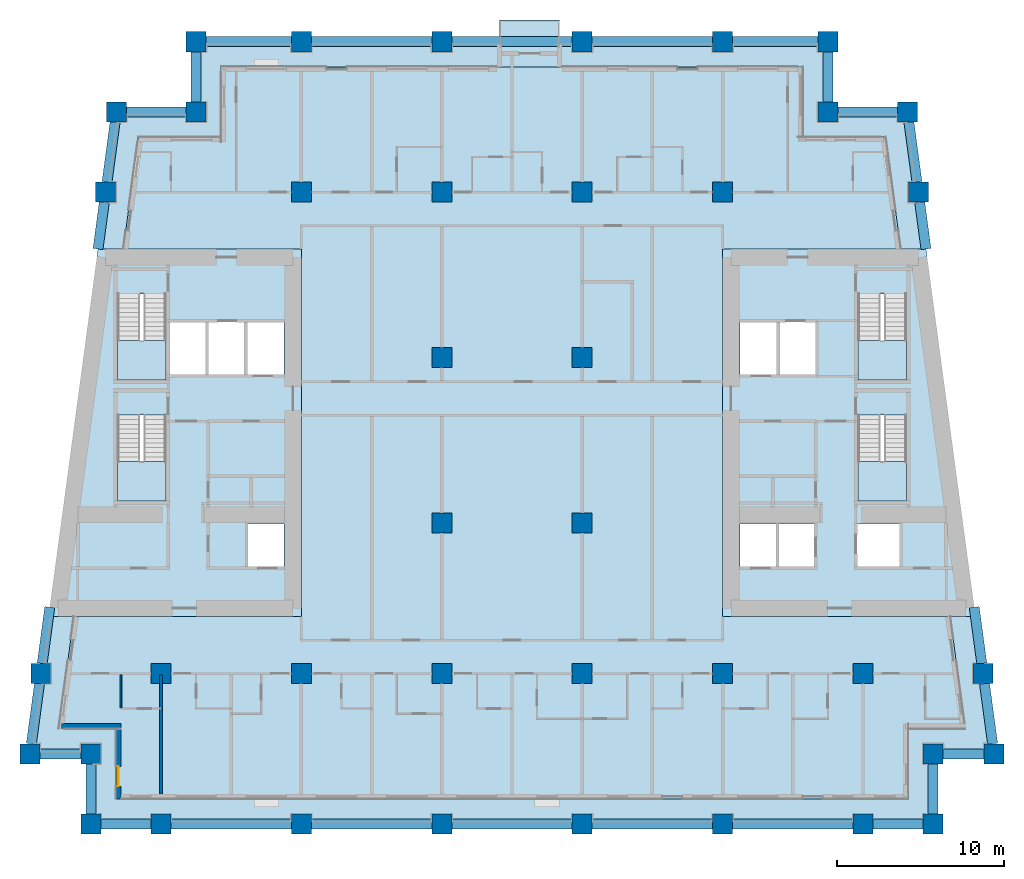
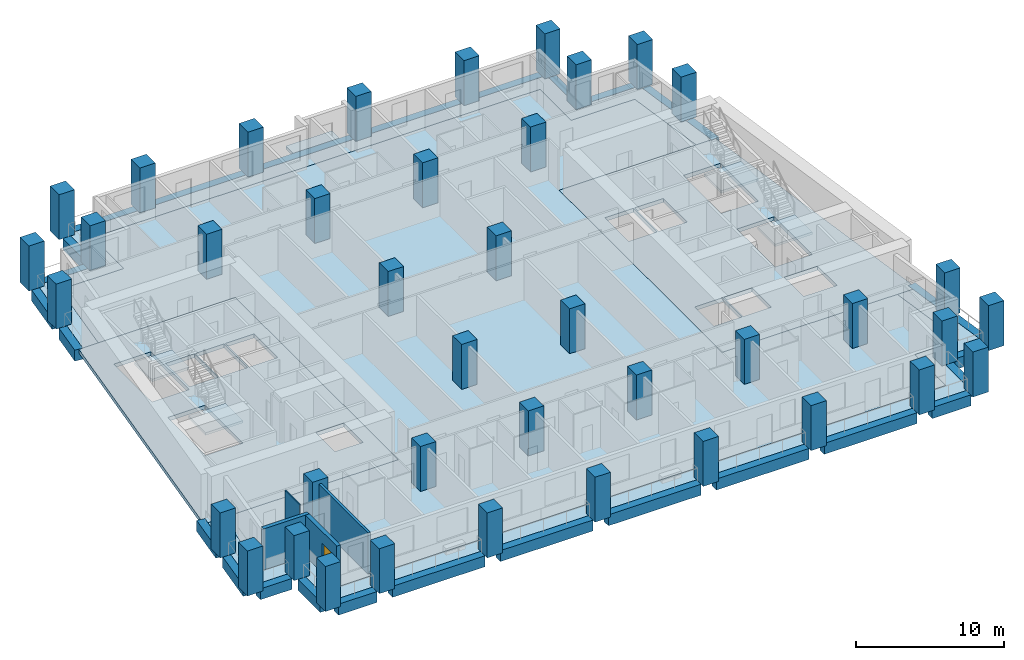
# One storey, part 1 of 14: 40 columns, 28 beams, 10 slabs, 4 walls, 1 door, 1 opening, 4 elements without a shape of their own.
"""IFC4 building model written with IfcOpenShell, lengths in metres."""

from ifc_helpers import new_model, si_unit, direction, frame, frame_2d, origin, origin_2d, place, context, subcontext, project, spatial, polyline, rectangle, outline, extrude, material, layer, layer_set, material_profile, profile_set, type_object, element, fill, aggregate, save


model = new_model("IFC4")

# Units and contexts
model_context = context("Model", 3, precision=1e-05, world=origin(), true_north=direction((0.0, 1.0)))
body_context = subcontext(model_context, "Body", "Model", "MODEL_VIEW")
ifc_project = project(units=[si_unit("LENGTHUNIT", "METRE"), si_unit("AREAUNIT", "SQUARE_METRE"), si_unit("VOLUMEUNIT", "CUBIC_METRE"), si_unit("PLANEANGLEUNIT", "RADIAN"), si_unit("MASSUNIT", "GRAM", prefix="KILO")], contexts=[model_context])

# Site, building, storey
site_placement = place(None, origin())
site = spatial("IfcSite", under=ifc_project, at=site_placement, CompositionType="ELEMENT")
building_placement = place(site_placement, origin())
building = spatial("IfcBuilding", under=site, at=building_placement, Name="Candeia Pilgrim Tower and Theatre", CompositionType="ELEMENT")
storey_placement = place(building_placement, frame((0.0, 0.0, 124.300048828125)))
storey = spatial("IfcBuildingStorey", under=building, at=storey_placement, Name="L29", CompositionType="ELEMENT", Elevation=124.300048828125)

# Columns
ifc_material_1 = material(Name="Concrete C70/85", Category="concrete")
ifc_material_profile_1 = material_profile(ifc_material_1, rectangle(XDim=1.199951171875, YDim=1.199951171875, at=origin_2d()))
ifc_profile_set_1 = profile_set([ifc_material_profile_1], Name="Concrete C70/85")
column_type = type_object("IfcColumnType", Name="RC 1200x1200 C70/85", PredefinedType="COLUMN", material=ifc_profile_set_1)
for number, where, z_axis, x_axis, name in (
    (1, (92.39990234375, 98.0, 0.0), (0.0, 0.0, 1.0), (1.0, 0.0, 0.0), "Column A1"),
    (2, (100.800048828125, 98.0, 0.0), (0.0, 0.0, 1.0), (1.0, 0.0, 0.0), "Column A2"),
    (3, (109.199951171875, 98.0, 0.0), (0.0, 0.0, 1.0), (1.0, 0.0, 0.0), "Column A3"),
    (4, (117.60009765625, 98.0, 0.0), (0.0, 0.0, 1.0), (1.0, 0.0, 0.0), "Column A4"),
    (5, (126.0, 98.0, 0.0), (0.0, 0.0, 1.0), (1.0, 0.0, 0.0), "Column A5"),
    (6, (134.39990234375, 98.0, 0.0), (0.0, 0.0, 1.0), (1.0, 0.0, 0.0), "Column A6"),
    (7, (88.199951171875, 98.0, 0.0), (0.0, 0.0, 1.0), (1.0, 0.0, 0.0), "Column AW"),
    (8, (138.60009765625, 98.0, 0.0), (0.0, 0.0, 1.0), (1.0, 0.0, 0.0), "Column AE"),
    (9, (88.199951171875, 102.199951171875, 0.0), (0.0, 0.0, 1.0), (1.0, 0.0, 0.0), "Column NSW"),
    (10, (138.60009765625, 102.199951171875, 0.0), (0.0, 0.0, 1.0), (1.0, 0.0, 0.0), "Column NSE"),
    (11, (94.5, 140.60009765625, 0.0), (0.0, 0.0, 1.0), (1.0, 0.0, 0.0), "Column NNW"),
    (12, (132.300048828125, 140.60009765625, 0.0), (0.0, 0.0, 1.0), (1.0, 0.0, 0.0), "Column NNE"),
    (13, (84.5654296875, 102.199951171875, 0.0), (0.0, 0.0, 1.0), (1.0, 0.0, 0.0), "Column LSW"),
    (14, (142.234619140625, 102.199951171875, 0.0), (0.0, 0.0, 1.0), (1.0, 0.0, 0.0), "Column LSE"),
    (15, (89.734619140625, 140.60009765625, 0.0), (0.0, 0.0, 1.0), (1.0, 0.0, 0.0), "Column LNW"),
    (16, (137.0654296875, 140.60009765625, 0.0), (0.0, 0.0, 1.0), (1.0, 0.0, 0.0), "Column LNE"),
    (17, (92.39990234375, 107.0, 0.0), (0.0, 0.0, 1.0), (1.0, 0.0, 0.0), "Column B1"),
    (18, (100.800048828125, 107.0, 0.0), (0.0, 0.0, 1.0), (1.0, 0.0, 0.0), "Column B2"),
    (19, (109.199951171875, 107.0, 0.0), (0.0, 0.0, 1.0), (1.0, 0.0, 0.0), "Column B3"),
    (20, (117.60009765625, 107.0, 0.0), (0.0, 0.0, 1.0), (1.0, 0.0, 0.0), "Column B4"),
    (21, (126.0, 107.0, 0.0), (0.0, 0.0, 1.0), (1.0, 0.0, 0.0), "Column B5"),
    (22, (134.39990234375, 107.0, 0.0), (0.0, 0.0, 1.0), (1.0, 0.0, 0.0), "Column B6"),
    (23, (85.21142578125, 107.0, 0.0), (0.0, 0.0, 1.0), (1.0, 0.0, 0.0), "Column BW"),
    (24, (141.58837890625, 107.0, 0.0), (0.0, 0.0, 1.0), (1.0, 0.0, 0.0), "Column BE"),
    (25, (109.199951171875, 116.0, 0.0), (0.0, 0.0, 1.0), (1.0, 0.0, 0.0), "Column C3"),
    (26, (117.60009765625, 116.0, 0.0), (0.0, 0.0, 1.0), (1.0, 0.0, 0.0), "Column C4"),
    (27, (109.199951171875, 125.89990234375, 0.0), (0.0, 0.0, 1.0), (1.0, 0.0, 0.0), "Column D3"),
    (28, (117.60009765625, 125.89990234375, 0.0), (0.0, 0.0, 1.0), (1.0, 0.0, 0.0), "Column D4"),
    (29, (100.800048828125, 135.800048828125, 0.0), (0.0, 0.0, 1.0), (1.0, 0.0, 0.0), "Column E2"),
    (30, (109.199951171875, 135.800048828125, 0.0), (0.0, 0.0, 1.0), (1.0, 0.0, 0.0), "Column E3"),
    (31, (117.60009765625, 135.800048828125, 0.0), (0.0, 0.0, 1.0), (1.0, 0.0, 0.0), "Column E4"),
    (32, (126.0, 135.800048828125, 0.0), (0.0, 0.0, 1.0), (1.0, 0.0, 0.0), "Column E5"),
    (33, (89.08837890625, 135.800048828125, 0.0), (0.0, 0.0, 1.0), (1.0, 0.0, 0.0), "Column EW"),
    (34, (137.71142578125, 135.800048828125, 0.0), (0.0, 0.0, 1.0), (1.0, 0.0, 0.0), "Column EE"),
    (35, (100.800048828125, 144.800048828125, 0.0), (0.0, 0.0, 1.0), (1.0, 0.0, 0.0), "Column F2"),
    (36, (109.199951171875, 144.800048828125, 0.0), (0.0, 0.0, 1.0), (1.0, 0.0, 0.0), "Column F3"),
    (37, (117.60009765625, 144.800048828125, 0.0), (0.0, 0.0, 1.0), (1.0, 0.0, 0.0), "Column F4"),
    (38, (126.0, 144.800048828125, 0.0), (0.0, 0.0, 1.0), (1.0, 0.0, 0.0), "Column F5"),
    (39, (94.5, 144.800048828125, 0.0), (0.0, 0.0, 1.0), (1.0, 0.0, 0.0), "Column FW"),
    (40, (132.300048828125, 144.800048828125, 0.0), (0.0, 0.0, 1.0), (1.0, 0.0, 0.0), "Column FE"),
):
    element("IfcColumn", number, at=place(storey_placement, frame(where, z_axis=z_axis, x_axis=x_axis)), inside=storey, type_object=column_type, Name=name, PredefinedType="COLUMN", context=body_context, shape_type="SweptSolid", body=[
        extrude(rectangle(XDim=1.199951171875, YDim=1.199951171875, at=origin_2d()), origin(), (0.0, 0.0, 1.0), 3.699951171875),
    ])

# Beams
ifc_material_profile_2 = material_profile(ifc_material_1, rectangle(XDim=0.60009765625, YDim=0.89990234375, at=origin_2d()))
ifc_profile_set_2 = profile_set([ifc_material_profile_2], Name="Concrete C70/85")
beam_type = type_object("IfcBeamType", Name="RC 600x900 C70/85", PredefinedType="BEAM", material=ifc_profile_set_2)
beam_1_placement = place(storey_placement, frame((88.800048828125, 98.0, -0.449951171875), z_axis=(1.0, 0.0, 0.0), x_axis=(0.0, 1.0, 0.0)))
element("IfcBeam", 41, at=beam_1_placement, inside=storey, type_object=beam_type, Name="Spandrel beam L29-01", PredefinedType="BEAM", context=body_context, shape_type="SweptSolid", body=[
    extrude(rectangle(XDim=0.60009765625, YDim=0.89990234375, at=origin_2d()), origin(), (0.0, 0.0, 1.0), 3.0),
])
beam_2_placement = place(storey_placement, frame((93.0, 98.0, -0.449951171875), z_axis=(1.0, 0.0, 0.0), x_axis=(0.0, 1.0, 0.0)))
element("IfcBeam", 42, at=beam_2_placement, inside=storey, type_object=beam_type, Name="Spandrel beam L29-02", PredefinedType="BEAM", context=body_context, shape_type="SweptSolid", body=[
    extrude(rectangle(XDim=0.60009765625, YDim=0.89990234375, at=origin_2d()), origin(), (0.0, 0.0, 1.0), 7.199951171875),
])
beam_3_placement = place(storey_placement, frame((101.39990234375, 98.0, -0.449951171875), z_axis=(1.0, 0.0, 0.0), x_axis=(0.0, 1.0, 0.0)))
element("IfcBeam", 43, at=beam_3_placement, inside=storey, type_object=beam_type, Name="Spandrel beam L29-03", PredefinedType="BEAM", context=body_context, shape_type="SweptSolid", body=[
    extrude(rectangle(XDim=0.60009765625, YDim=0.89990234375, at=origin_2d()), origin(), (0.0, 0.0, 1.0), 7.2001953125),
])
for number, where, z_axis, x_axis, name in (
    (44, (109.800048828125, 98.0, -0.449951171875), (1.0, 0.0, 0.0), (0.0, 1.0, 0.0), "Spandrel beam L29-04"),
    (45, (118.199951171875, 98.0, -0.449951171875), (1.0, 0.0, 0.0), (0.0, 1.0, 0.0), "Spandrel beam L29-05"),
    (46, (126.60009765625, 98.0, -0.449951171875), (1.0, 0.0, 0.0), (0.0, 1.0, 0.0), "Spandrel beam L29-06"),
):
    element("IfcBeam", number, at=place(storey_placement, frame(where, z_axis=z_axis, x_axis=x_axis)), inside=storey, type_object=beam_type, Name=name, PredefinedType="BEAM", context=body_context, shape_type="SweptSolid", body=[
        extrude(rectangle(XDim=0.60009765625, YDim=0.89990234375, at=origin_2d()), origin(), (0.0, 0.0, 1.0), 7.199951171875),
    ])
for number, where, z_axis, x_axis, name in (
    (47, (135.0, 98.0, -0.449951171875), (1.0, 0.0, 0.0), (0.0, 1.0, 0.0), "Spandrel beam L29-07"),
    (48, (138.60009765625, 98.60009765625, -0.449951171875), (0.0, 1.0, 0.0), (-1.0, 0.0, 0.0), "Spandrel beam L29-08"),
):
    element("IfcBeam", number, at=place(storey_placement, frame(where, z_axis=z_axis, x_axis=x_axis)), inside=storey, type_object=beam_type, Name=name, PredefinedType="BEAM", context=body_context, shape_type="SweptSolid", body=[
        extrude(rectangle(XDim=0.60009765625, YDim=0.89990234375, at=origin_2d()), origin(), (0.0, 0.0, 1.0), 3.0),
    ])
beam_4_placement = place(storey_placement, frame((139.199951171875, 102.199951171875, -0.449951171875), z_axis=(1.0, 0.0, 0.0), x_axis=(0.0, 1.0, 0.0)))
element("IfcBeam", 49, at=beam_4_placement, inside=storey, type_object=beam_type, Name="Spandrel beam L29-09", PredefinedType="BEAM", context=body_context, shape_type="SweptSolid", body=[
    extrude(rectangle(XDim=0.60009765625, YDim=0.89990234375, at=origin_2d()), origin(), (0.0, 0.0, 1.0), 2.4345703125),
])
beam_5_placement = place(storey_placement, frame((142.15380859375, 102.800048828125, -0.449951171875), z_axis=(-0.133418359924, 0.991059807093, 0.0), x_axis=(-0.991059807093, -0.133418359924, 0.0)))
element("IfcBeam", 50, at=beam_5_placement, inside=storey, type_object=beam_type, Name="Spandrel beam L29-10", PredefinedType="BEAM", context=body_context, shape_type="SweptSolid", body=[
    extrude(rectangle(XDim=0.60009765625, YDim=0.89990234375, at=origin_2d()), origin(), (0.0, 0.0, 1.0), 3.63232421875),
])
beam_6_placement = place(storey_placement, frame((141.5078125, 107.60009765625, -0.449951171875), z_axis=(-0.133458165992, 0.99105444751, 0.0), x_axis=(-0.99105444751, -0.133458165992, 0.0)))
element("IfcBeam", 51, at=beam_6_placement, inside=storey, type_object=beam_type, Name="Spandrel beam L29-11", PredefinedType="BEAM", context=body_context, shape_type="SweptSolid", body=[
    extrude(rectangle(XDim=0.60009765625, YDim=0.89990234375, at=origin_2d()), origin(), (0.0, 0.0, 1.0), 3.39697265625),
])
beam_7_placement = place(storey_placement, frame((138.169189453125, 132.39990234375, -0.449951171875), z_axis=(-0.133420173099, 0.991059562998, 0.0), x_axis=(-0.991059562998, -0.133420173099, 0.0)))
element("IfcBeam", 52, at=beam_7_placement, inside=storey, type_object=beam_type, Name="Spandrel beam L29-12", PredefinedType="BEAM", context=body_context, shape_type="SweptSolid", body=[
    extrude(rectangle(XDim=0.60009765625, YDim=0.89990234375, at=origin_2d()), origin(), (0.0, 0.0, 1.0), 2.8251953125),
])
beam_8_placement = place(storey_placement, frame((137.630859375, 136.39990234375, -0.449951171875), z_axis=(-0.133409473196, 0.991061003401, 0.0), x_axis=(-0.991061003401, -0.133409473196, 0.0)))
element("IfcBeam", 53, at=beam_8_placement, inside=storey, type_object=beam_type, Name="Spandrel beam L29-13", PredefinedType="BEAM", context=body_context, shape_type="SweptSolid", body=[
    extrude(rectangle(XDim=0.60009765625, YDim=0.89990234375, at=origin_2d()), origin(), (0.0, 0.0, 1.0), 3.632568359375),
])
beam_9_placement = place(storey_placement, frame((136.46533203125, 140.60009765625, -0.449951171875), z_axis=(-1.0, 0.0, 0.0), x_axis=(0.0, -1.0, 0.0)))
element("IfcBeam", 54, at=beam_9_placement, inside=storey, type_object=beam_type, Name="Spandrel beam L29-14", PredefinedType="BEAM", context=body_context, shape_type="SweptSolid", body=[
    extrude(rectangle(XDim=0.60009765625, YDim=0.89990234375, at=origin_2d()), origin(), (0.0, 0.0, 1.0), 3.5654296875),
])
beam_10_placement = place(storey_placement, frame((132.300048828125, 141.199951171875, -0.449951171875), z_axis=(0.0, 1.0, 0.0), x_axis=(-1.0, 0.0, 0.0)))
element("IfcBeam", 55, at=beam_10_placement, inside=storey, type_object=beam_type, Name="Spandrel beam L29-15", PredefinedType="BEAM", context=body_context, shape_type="SweptSolid", body=[
    extrude(rectangle(XDim=0.60009765625, YDim=0.89990234375, at=origin_2d()), origin(), (0.0, 0.0, 1.0), 3.0),
])
beam_11_placement = place(storey_placement, frame((131.699951171875, 144.800048828125, -0.449951171875), z_axis=(-1.0, 0.0, 0.0), x_axis=(0.0, -1.0, 0.0)))
element("IfcBeam", 56, at=beam_11_placement, inside=storey, type_object=beam_type, Name="Spandrel beam L29-16", PredefinedType="BEAM", context=body_context, shape_type="SweptSolid", body=[
    extrude(rectangle(XDim=0.60009765625, YDim=0.89990234375, at=origin_2d()), origin(), (0.0, 0.0, 1.0), 5.099853515625),
])
for number, where, z_axis, x_axis, name in (
    (57, (125.39990234375, 144.800048828125, -0.449951171875), (-1.0, 0.0, 0.0), (0.0, -1.0, 0.0), "Spandrel beam L29-17"),
    (58, (117.0, 144.800048828125, -0.449951171875), (-1.0, 0.0, 0.0), (0.0, -1.0, 0.0), "Spandrel beam L29-18"),
):
    element("IfcBeam", number, at=place(storey_placement, frame(where, z_axis=z_axis, x_axis=x_axis)), inside=storey, type_object=beam_type, Name=name, PredefinedType="BEAM", context=body_context, shape_type="SweptSolid", body=[
        extrude(rectangle(XDim=0.60009765625, YDim=0.89990234375, at=origin_2d()), origin(), (0.0, 0.0, 1.0), 7.199951171875),
    ])
beam_12_placement = place(storey_placement, frame((108.60009765625, 144.800048828125, -0.449951171875), z_axis=(-1.0, 0.0, 0.0), x_axis=(0.0, -1.0, 0.0)))
element("IfcBeam", 59, at=beam_12_placement, inside=storey, type_object=beam_type, Name="Spandrel beam L29-19", PredefinedType="BEAM", context=body_context, shape_type="SweptSolid", body=[
    extrude(rectangle(XDim=0.60009765625, YDim=0.89990234375, at=origin_2d()), origin(), (0.0, 0.0, 1.0), 7.2001953125),
])
beam_13_placement = place(storey_placement, frame((100.199951171875, 144.800048828125, -0.449951171875), z_axis=(-1.0, 0.0, 0.0), x_axis=(0.0, -1.0, 0.0)))
element("IfcBeam", 60, at=beam_13_placement, inside=storey, type_object=beam_type, Name="Spandrel beam L29-20", PredefinedType="BEAM", context=body_context, shape_type="SweptSolid", body=[
    extrude(rectangle(XDim=0.60009765625, YDim=0.89990234375, at=origin_2d()), origin(), (0.0, 0.0, 1.0), 5.099853515625),
])
beam_14_placement = place(storey_placement, frame((94.5, 144.199951171875, -0.449951171875), z_axis=(0.0, -1.0, 0.0), x_axis=(1.0, 0.0, 0.0)))
element("IfcBeam", 61, at=beam_14_placement, inside=storey, type_object=beam_type, Name="Spandrel beam L29-21", PredefinedType="BEAM", context=body_context, shape_type="SweptSolid", body=[
    extrude(rectangle(XDim=0.60009765625, YDim=0.89990234375, at=origin_2d()), origin(), (0.0, 0.0, 1.0), 3.0),
])
beam_15_placement = place(storey_placement, frame((93.89990234375, 140.60009765625, -0.449951171875), z_axis=(-1.0, 0.0, 0.0), x_axis=(0.0, -1.0, 0.0)))
element("IfcBeam", 62, at=beam_15_placement, inside=storey, type_object=beam_type, Name="Spandrel beam L29-22", PredefinedType="BEAM", context=body_context, shape_type="SweptSolid", body=[
    extrude(rectangle(XDim=0.60009765625, YDim=0.89990234375, at=origin_2d()), origin(), (0.0, 0.0, 1.0), 3.565185546875),
])
beam_16_placement = place(storey_placement, frame((89.65380859375, 140.0, -0.449951171875), z_axis=(-0.133409473196, -0.991061003401, 0.0), x_axis=(0.991061003401, -0.133409473196, 0.0)))
element("IfcBeam", 63, at=beam_16_placement, inside=storey, type_object=beam_type, Name="Spandrel beam L29-23", PredefinedType="BEAM", context=body_context, shape_type="SweptSolid", body=[
    extrude(rectangle(XDim=0.60009765625, YDim=0.89990234375, at=origin_2d()), origin(), (0.0, 0.0, 1.0), 3.632568359375),
])
beam_17_placement = place(storey_placement, frame((89.0078125, 135.199951171875, -0.449951171875), z_axis=(-0.133420173099, -0.991059562998, 0.0), x_axis=(0.991059562998, -0.133420173099, 0.0)))
element("IfcBeam", 64, at=beam_17_placement, inside=storey, type_object=beam_type, Name="Spandrel beam L29-24", PredefinedType="BEAM", context=body_context, shape_type="SweptSolid", body=[
    extrude(rectangle(XDim=0.60009765625, YDim=0.89990234375, at=origin_2d()), origin(), (0.0, 0.0, 1.0), 2.8251953125),
])
beam_18_placement = place(storey_placement, frame((85.74560546875, 110.966796875, -0.449951171875), z_axis=(-0.133458165992, -0.99105444751, 0.0), x_axis=(0.99105444751, -0.133458165992, 0.0)))
element("IfcBeam", 65, at=beam_18_placement, inside=storey, type_object=beam_type, Name="Spandrel beam L29-25", PredefinedType="BEAM", context=body_context, shape_type="SweptSolid", body=[
    extrude(rectangle(XDim=0.60009765625, YDim=0.89990234375, at=origin_2d()), origin(), (0.0, 0.0, 1.0), 3.39697265625),
])
beam_19_placement = place(storey_placement, frame((85.130859375, 106.39990234375, -0.449951171875), z_axis=(-0.133418359924, -0.991059807093, 0.0), x_axis=(0.991059807093, -0.133418359924, 0.0)))
element("IfcBeam", 66, at=beam_19_placement, inside=storey, type_object=beam_type, Name="Spandrel beam L29-26", PredefinedType="BEAM", context=body_context, shape_type="SweptSolid", body=[
    extrude(rectangle(XDim=0.60009765625, YDim=0.89990234375, at=origin_2d()), origin(), (0.0, 0.0, 1.0), 3.63232421875),
])
beam_20_placement = place(storey_placement, frame((85.165283203125, 102.199951171875, -0.449951171875), z_axis=(1.0, 0.0, 0.0), x_axis=(0.0, 1.0, 0.0)))
element("IfcBeam", 67, at=beam_20_placement, inside=storey, type_object=beam_type, Name="Spandrel beam L29-27", PredefinedType="BEAM", context=body_context, shape_type="SweptSolid", body=[
    extrude(rectangle(XDim=0.60009765625, YDim=0.89990234375, at=origin_2d()), origin(), (0.0, 0.0, 1.0), 2.434814453125),
])
beam_21_placement = place(storey_placement, frame((88.199951171875, 101.60009765625, -0.449951171875), z_axis=(0.0, -1.0, 0.0), x_axis=(1.0, 0.0, 0.0)))
element("IfcBeam", 68, at=beam_21_placement, inside=storey, type_object=beam_type, Name="Spandrel beam L29-28", PredefinedType="BEAM", context=body_context, shape_type="SweptSolid", body=[
    extrude(rectangle(XDim=0.60009765625, YDim=0.89990234375, at=origin_2d()), origin(), (0.0, 0.0, 1.0), 3.0),
])

# Slabs
ifc_material_2 = material(Name="Concrete C40/50", Category="concrete")
ifc_layer_1 = layer(ifc_material_2, 0.25)
ifc_layer_set_1 = layer_set([ifc_layer_1], Name="BK1 balcony slab 250")
slab_type_1 = type_object("IfcSlabType", Name="BK1 balcony slab 250", PredefinedType="USERDEFINED", material=ifc_layer_set_1)
slab_1_placement = place(storey_placement, frame((0.0, 0.0, -0.25)))
element("IfcSlab", 69, at=slab_1_placement, inside=storey, type_object=slab_type_1, Name="Balcony L29", ObjectType="BALCONY", PredefinedType="USERDEFINED", context=body_context, shape_type="SweptSolid", body=[
    extrude(outline(polyline([(112.64990234375, 144.5), (116.25, 144.5), (116.25, 146.10009765625), (112.64990234375, 146.10009765625), (112.64990234375, 144.5)])), origin(), (0.0, 0.0, 1.0), 0.25),
])
ifc_material_3 = material(Name="Concrete C60/75", Category="concrete")
ifc_layer_2 = layer(ifc_material_3, 0.320068359375)
ifc_layer_set_2 = layer_set([ifc_layer_2], Name="FS-CORE 320 core floor")
slab_type_2 = type_object("IfcSlabType", Name="FS-CORE 320 core floor", PredefinedType="FLOOR", material=ifc_layer_set_2)
slab_2_placement = place(storey_placement, frame((0.0, 0.0, -0.320068359375)))
element("IfcSlab", 70, at=slab_2_placement, inside=storey, type_object=slab_type_2, Name="Core floor W L29", PredefinedType="FLOOR", context=body_context, shape_type="SweptSolid", body=[
    extrude(outline(polyline([(100.800048828125, 132.39990234375), (100.800048828125, 110.39990234375), (85.669189453125, 110.39990234375), (88.630859375, 132.39990234375), (100.800048828125, 132.39990234375)]), holes=[polyline([(97.525634765625, 128.050048828125), (97.525634765625, 124.85009765625), (99.75, 124.85009765625), (99.75, 128.050048828125), (97.525634765625, 128.050048828125)]), polyline([(97.5634765625, 113.35009765625), (99.75, 113.35009765625), (99.75, 115.949951171875), (97.5634765625, 115.949951171875), (97.5634765625, 113.35009765625)]), polyline([(95.201416015625, 124.85009765625), (97.42578125, 124.85009765625), (97.42578125, 128.050048828125), (95.201416015625, 128.050048828125), (95.201416015625, 124.85009765625)]), polyline([(92.876953125, 128.050048828125), (92.876953125, 124.85009765625), (95.101318359375, 124.85009765625), (95.101318359375, 128.050048828125), (92.876953125, 128.050048828125)]), polyline([(89.802001953125, 122.455078125), (89.802001953125, 117.324951171875), (92.701904296875, 117.324951171875), (92.701904296875, 122.455078125), (89.802001953125, 122.455078125)]), polyline([(89.802001953125, 129.705078125), (89.802001953125, 124.574951171875), (92.701904296875, 124.574951171875), (92.701904296875, 129.705078125), (89.802001953125, 129.705078125)])]), origin(), (0.0, 0.0, 1.0), 0.320068359375),
])
slab_3_placement = place(storey_placement, frame((0.0, 0.0, -0.320068359375)))
element("IfcSlab", 71, at=slab_3_placement, inside=storey, type_object=slab_type_2, Name="Core floor E L29", PredefinedType="FLOOR", context=body_context, shape_type="SweptSolid", body=[
    extrude(outline(polyline([(138.169189453125, 132.39990234375), (141.130859375, 110.39990234375), (126.0, 110.39990234375), (126.0, 132.39990234375), (138.169189453125, 132.39990234375)]), holes=[polyline([(134.097900390625, 122.455078125), (134.097900390625, 117.324951171875), (136.998046875, 117.324951171875), (136.998046875, 122.455078125), (134.097900390625, 122.455078125)]), polyline([(134.097900390625, 129.705078125), (134.097900390625, 124.574951171875), (136.998046875, 124.574951171875), (136.998046875, 129.705078125), (134.097900390625, 129.705078125)]), polyline([(136.6220703125, 115.949951171875), (134.02294921875, 115.949951171875), (134.02294921875, 113.35009765625), (136.6220703125, 113.35009765625), (136.6220703125, 115.949951171875)]), polyline([(131.5986328125, 128.050048828125), (129.374267578125, 128.050048828125), (129.374267578125, 124.85009765625), (131.5986328125, 124.85009765625), (131.5986328125, 128.050048828125)]), polyline([(131.52294921875, 115.949951171875), (129.33642578125, 115.949951171875), (129.33642578125, 113.35009765625), (131.52294921875, 113.35009765625), (131.52294921875, 115.949951171875)]), polyline([(129.2744140625, 128.050048828125), (127.050048828125, 128.050048828125), (127.050048828125, 124.85009765625), (129.2744140625, 124.85009765625), (129.2744140625, 128.050048828125)]), polyline([(127.050048828125, 115.949951171875), (127.050048828125, 113.35009765625), (129.236572265625, 113.35009765625), (129.236572265625, 115.949951171875), (127.050048828125, 115.949951171875)])]), origin(), (0.0, 0.0, 1.0), 0.320068359375),
])
ifc_material_4 = material(Name="Concrete C50/60", Category="concrete")
ifc_layer_3 = layer(ifc_material_4, 0.320068359375)
ifc_layer_set_3 = layer_set([ifc_layer_3], Name="Floor slab 320 C50/60")
slab_type_3 = type_object("IfcSlabType", Name="Floor slab 320 C50/60", PredefinedType="FLOOR", material=ifc_layer_set_3)
slab_4_placement = place(storey_placement, frame((0.0, 0.0, -0.320068359375)))
element("IfcSlab", 72, at=slab_4_placement, inside=storey, type_object=slab_type_3, Name="Floor slab L29", PredefinedType="FLOOR", context=body_context, shape_type="SweptSolid", body=[
    extrude(outline(polyline([(96.0, 139.10009765625), (96.0, 143.300048828125), (130.800048828125, 143.300048828125), (130.800048828125, 139.10009765625), (135.753662109375, 139.10009765625), (136.65576171875, 132.39990234375), (126.0, 132.39990234375), (126.0, 110.39990234375), (139.6171875, 110.39990234375), (140.51904296875, 103.699951171875), (137.10009765625, 103.699951171875), (137.10009765625, 99.5), (89.699951171875, 99.5), (89.699951171875, 103.699951171875), (86.28076171875, 103.699951171875), (87.182861328125, 110.39990234375), (100.800048828125, 110.39990234375), (100.800048828125, 132.39990234375), (90.144287109375, 132.39990234375), (91.046142578125, 139.10009765625), (96.0, 139.10009765625)])), origin(), (0.0, 0.0, 1.0), 0.320068359375),
])
ifc_layer_4 = layer(ifc_material_2, 0.25)
ifc_layer_set_4 = layer_set([ifc_layer_4], Name="Loggia slab 250 C40/50")
slab_type_4 = type_object("IfcSlabType", Name="Loggia slab 250 C40/50", PredefinedType="FLOOR", material=ifc_layer_set_4)
slab_5_placement = place(storey_placement, frame((0.0, 0.0, -0.25)))
element("IfcSlab", 73, at=slab_5_placement, inside=storey, type_object=slab_type_4, Name="Loggia slab L29 1", PredefinedType="FLOOR", context=body_context, shape_type="SweptSolid", body=[
    extrude(outline(polyline([(87.182861328125, 110.39990234375), (86.28076171875, 103.699951171875), (89.699951171875, 103.699951171875), (89.699951171875, 99.5), (137.10009765625, 99.5), (137.10009765625, 103.699951171875), (140.51904296875, 103.699951171875), (139.6171875, 110.39990234375), (140.828125, 110.39990234375), (141.8916015625, 102.5), (138.300048828125, 102.5), (138.300048828125, 98.300048828125), (88.5, 98.300048828125), (88.5, 102.5), (84.908447265625, 102.5), (85.971923828125, 110.39990234375), (87.182861328125, 110.39990234375)])), origin(), (0.0, 0.0, 1.0), 0.25),
])
slab_6_placement = place(storey_placement, frame((0.0, 0.0, -0.25)))
element("IfcSlab", 74, at=slab_6_placement, inside=storey, type_object=slab_type_4, Name="Loggia slab L29 2", PredefinedType="FLOOR", context=body_context, shape_type="SweptSolid", body=[
    extrude(outline(polyline([(136.65576171875, 132.39990234375), (135.753662109375, 139.10009765625), (130.800048828125, 139.10009765625), (130.800048828125, 143.300048828125), (96.0, 143.300048828125), (96.0, 139.10009765625), (91.046142578125, 139.10009765625), (90.144287109375, 132.39990234375), (88.93359375, 132.39990234375), (89.996826171875, 140.300048828125), (94.800048828125, 140.300048828125), (94.800048828125, 144.5), (132.0, 144.5), (132.0, 140.300048828125), (136.802978515625, 140.300048828125), (137.866455078125, 132.39990234375), (136.65576171875, 132.39990234375)])), origin(), (0.0, 0.0, 1.0), 0.25),
])

# Stair, slab
stair_type = type_object("IfcStairType", Name="ST-TWR dog-leg escape stair", PredefinedType="HALF_TURN_STAIR", material=ifc_material_2)
stair_1_placement = place(storey_placement, origin())
stair_1 = element("IfcStair", 75, at=stair_1_placement, inside=storey, type_object=stair_type, Name="L29 Escape stair ST1", PredefinedType="HALF_TURN_STAIR")
ifc_layer_5 = layer(ifc_material_2, 0.199951171875)
ifc_layer_set_5 = layer_set([ifc_layer_5], Name="SL-LANDING stair landing")
slab_type_5 = type_object("IfcSlabType", Name="SL-LANDING stair landing", PredefinedType="LANDING", material=ifc_layer_set_5)
slab_7_placement = place(storey_placement, frame((0.0, 0.0, 1.64990234375)))
slab_7 = element("IfcSlab", 76, at=slab_7_placement, type_object=slab_type_5, Name="ST1 landing 1", PredefinedType="LANDING", context=body_context, shape_type="SweptSolid", body=[
    extrude(outline(polyline([(89.802001953125, 119.675048828125), (89.802001953125, 117.324951171875), (92.701904296875, 117.324951171875), (92.701904296875, 119.675048828125), (89.802001953125, 119.675048828125)])), origin(), (0.0, 0.0, 1.0), 0.199951171875),
])
aggregate(stair_1, [slab_7])

stair_2_placement = place(storey_placement, origin())
stair_2 = element("IfcStair", 77, at=stair_2_placement, inside=storey, type_object=stair_type, Name="L29 Escape stair ST2", PredefinedType="HALF_TURN_STAIR")
slab_8_placement = place(storey_placement, frame((0.0, 0.0, 1.64990234375)))
slab_8 = element("IfcSlab", 78, at=slab_8_placement, type_object=slab_type_5, Name="ST2 landing 1", PredefinedType="LANDING", context=body_context, shape_type="SweptSolid", body=[
    extrude(outline(polyline([(89.802001953125, 126.925048828125), (89.802001953125, 124.574951171875), (92.701904296875, 124.574951171875), (92.701904296875, 126.925048828125), (89.802001953125, 126.925048828125)])), origin(), (0.0, 0.0, 1.0), 0.199951171875),
])
aggregate(stair_2, [slab_8])

stair_3_placement = place(storey_placement, origin())
stair_3 = element("IfcStair", 79, at=stair_3_placement, inside=storey, type_object=stair_type, Name="L29 Escape stair ST3", PredefinedType="HALF_TURN_STAIR")
slab_9_placement = place(storey_placement, frame((0.0, 0.0, 1.64990234375)))
slab_9 = element("IfcSlab", 80, at=slab_9_placement, type_object=slab_type_5, Name="ST3 landing 1", PredefinedType="LANDING", context=body_context, shape_type="SweptSolid", body=[
    extrude(outline(polyline([(134.097900390625, 119.675048828125), (134.097900390625, 117.324951171875), (136.998046875, 117.324951171875), (136.998046875, 119.675048828125), (134.097900390625, 119.675048828125)])), origin(), (0.0, 0.0, 1.0), 0.199951171875),
])
aggregate(stair_3, [slab_9])

stair_4_placement = place(storey_placement, origin())
stair_4 = element("IfcStair", 81, at=stair_4_placement, inside=storey, type_object=stair_type, Name="L29 Escape stair ST4", PredefinedType="HALF_TURN_STAIR")
slab_10_placement = place(storey_placement, frame((0.0, 0.0, 1.64990234375)))
slab_10 = element("IfcSlab", 82, at=slab_10_placement, type_object=slab_type_5, Name="ST4 landing 1", PredefinedType="LANDING", context=body_context, shape_type="SweptSolid", body=[
    extrude(outline(polyline([(134.097900390625, 126.925048828125), (134.097900390625, 124.574951171875), (136.998046875, 124.574951171875), (136.998046875, 126.925048828125), (134.097900390625, 126.925048828125)])), origin(), (0.0, 0.0, 1.0), 0.199951171875),
])
aggregate(stair_4, [slab_10])

# Wall
ifc_material_5 = material(Name="Ceramic block masonry", Category="masonry")
ifc_layer_6 = layer(ifc_material_5, 0.300048828125)
ifc_layer_set_6 = layer_set([ifc_layer_6], Name="EW1 glazing-line wall 300")
wall_type_1 = type_object("IfcWallType", Name="EW1 glazing-line wall 300", PredefinedType="SOLIDWALL", material=ifc_layer_set_6)
wall_1_placement = place(storey_placement, frame((86.452392578125, 103.85009765625, 0.0), z_axis=(0.0, 0.0, 1.0), x_axis=(1.0, 0.0, 0.0)))
element("IfcWall", 83, at=wall_1_placement, inside=storey, type_object=wall_type_1, Name="External wall L29-10.0", PredefinedType="SOLIDWALL", context=body_context, shape_type="SweptSolid", body=[
    extrude(rectangle(XDim=3.547607421875, YDim=0.300048828125, at=frame_2d((1.77392578125, 0.0))), origin(), (0.0, 0.0, 1.0), 3.3798828125),
])

# Wall, opening, door
wall_2_placement = place(storey_placement, frame((89.85009765625, 103.85009765625, 0.0), z_axis=(0.0, 0.0, 1.0), x_axis=(0.0, -1.0, 0.0)))
wall_2 = element("IfcWall", 84, at=wall_2_placement, inside=storey, type_object=wall_type_1, Name="External wall L29-11.0", PredefinedType="SOLIDWALL", context=body_context, shape_type="SweptSolid", body=[
    extrude(rectangle(XDim=4.35009765625, YDim=0.300048828125, at=frame_2d((2.175048828125, 0.0))), origin(), (0.0, 0.0, 1.0), 3.3798828125),
])
opening_placement = place(wall_2_placement, frame((2.39990234375, 0.0, 0.0)))
opening = element("IfcOpeningElement", 85, at=opening_placement, cuts=wall_2, Name="Opening L29-ED300", PredefinedType="OPENING", context=body_context, shape_type="SweptSolid", body=[
    extrude(rectangle(XDim=1.199951171875, YDim=2.39990234375, at=frame_2d((0.60009765625, 1.199951171875))), frame((0.0, 0.16015625, 0.0), z_axis=(0.0, -1.0, 0.0), x_axis=(1.0, 0.0, 0.0)), (0.0, 0.0, 1.0), 0.320068359375),
])
ifc_material_6 = material(Name="Aluminium framed glazed door", Category="aluminium")
door_type = type_object("IfcDoorType", Name="Loggia door 1200x2400", OperationType="DOUBLE_DOOR_SINGLE_SWING", PredefinedType="DOOR", material=ifc_material_6)
door_placement = place(opening_placement, origin())
door = element("IfcDoor", 86, at=door_placement, inside=storey, type_object=door_type, Name="Loggia door L29-ED300", OperationType="DOUBLE_DOOR_SINGLE_SWING", OverallHeight=2.39990234375, OverallWidth=1.199951171875, PredefinedType="DOOR", context=body_context, shape_type="SweptSolid", body=[
    extrude(rectangle(XDim=1.199951171875, YDim=2.39990234375, at=frame_2d((0.60009765625, 1.199951171875))), frame((0.0, 0.02490234375, 0.0), z_axis=(0.0, -1.0, 0.0), x_axis=(1.0, 0.0, 0.0)), (0.0, 0.0, 1.0), 0.050048828125),
])
fill(opening, door)

# Walls
ifc_material_7 = material(Name="Gypsum board partition on steel studs", Category="steel")
ifc_layer_7 = layer(ifc_material_7, 0.10009765625)
ifc_layer_set_7 = layer_set([ifc_layer_7], Name="PW-100 room partition")
wall_type_2 = type_object("IfcWallType", Name="PW-100 room partition", PredefinedType="PARTITIONING", material=ifc_layer_set_7)
wall_3_placement = place(storey_placement, frame((90.0, 104.949951171875, 0.0), z_axis=(0.0, 0.0, 1.0), x_axis=(0.0, 1.0, 0.0)))
element("IfcWall", 87, at=wall_3_placement, inside=storey, type_object=wall_type_2, Name="Room partition L29-058", PredefinedType="PARTITIONING", context=body_context, shape_type="SweptSolid", body=[
    extrude(rectangle(XDim=1.97509765625, YDim=0.10009765625, at=frame_2d((0.987548828125, 0.0))), origin(), (0.0, 0.0, 1.0), 3.3798828125),
])
ifc_layer_8 = layer(ifc_material_7, 0.199951171875)
ifc_layer_set_8 = layer_set([ifc_layer_8], Name="PW-200 party wall")
wall_type_3 = type_object("IfcWallType", Name="PW-200 party wall", PredefinedType="PARTITIONING", material=ifc_layer_set_8)
wall_4_placement = place(storey_placement, frame((92.39990234375, 99.7900390625, 0.0), z_axis=(0.0, 0.0, 1.0), x_axis=(0.0, 1.0, 0.0)))
element("IfcWall", 88, at=wall_4_placement, inside=storey, type_object=wall_type_3, Name="Party wall L29-059", PredefinedType="PARTITIONING", context=body_context, shape_type="SweptSolid", body=[
    extrude(rectangle(XDim=7.135009765625, YDim=0.199951171875, at=frame_2d((3.5673828125, 0.0))), origin(), (0.0, 0.0, 1.0), 3.3798828125),
])

save(model, "model.ifc")
